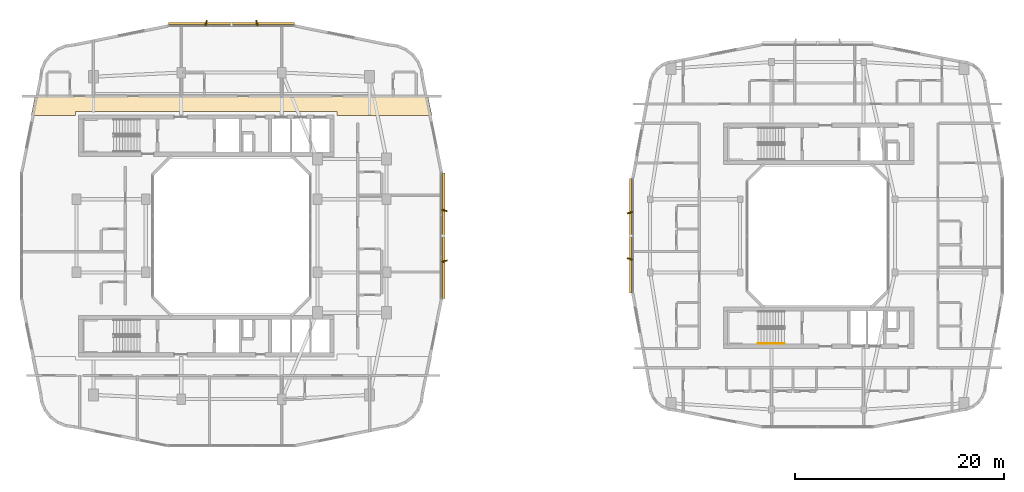
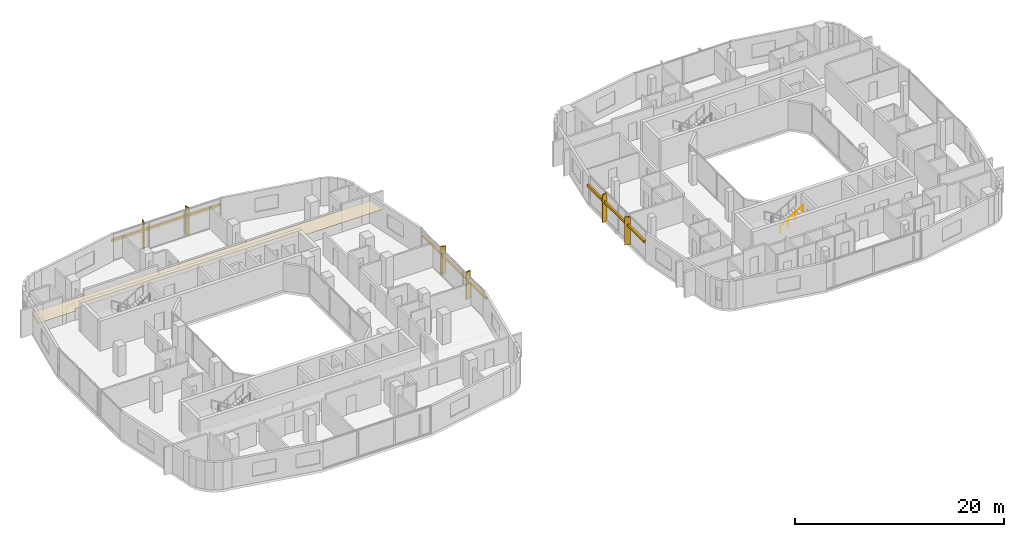
# One storey, part 25 of 26: 9 shading devices, 1 covering, 1 railing.
"""IFC4 building model written with IfcOpenShell, lengths in metres."""

from ifc_helpers import new_model, si_unit, derived_unit, direction, frame, origin, origin_2d, place, context, subcontext, project, spatial, polyline, rectangle, circle, outline, extrude, material, layer, layer_set, type_object, element, save


model = new_model("IFC4")

# Units and contexts
model_context = context("Model", 3, precision=1e-05, world=origin(), true_north=direction((0.0, 1.0)))
body_context = subcontext(model_context, "Body", "Model", "MODEL_VIEW")
ifc_project = project(units=[si_unit("LENGTHUNIT", "METRE"), si_unit("AREAUNIT", "SQUARE_METRE"), si_unit("VOLUMEUNIT", "CUBIC_METRE"), si_unit("PLANEANGLEUNIT", "RADIAN"), si_unit("MASSUNIT", "GRAM", prefix="KILO"), derived_unit("THERMALTRANSMITTANCEUNIT", [(si_unit("POWERUNIT", "WATT"), 1), (si_unit("LENGTHUNIT", "METRE"), -2), (si_unit("THERMODYNAMICTEMPERATUREUNIT", "KELVIN"), -1)])], contexts=[model_context])

# Site, building, storey
site_placement = place(None, origin())
site = spatial("IfcSite", under=ifc_project, at=site_placement, CompositionType="ELEMENT")
building_placement = place(site_placement, origin())
building = spatial("IfcBuilding", under=site, at=building_placement, Name="Kivonza Crest Hotel", CompositionType="ELEMENT")
storey_placement = place(building_placement, frame((0.0, 0.0, 109.0)))
storey = spatial("IfcBuildingStorey", under=building, at=storey_placement, Name="L29", CompositionType="ELEMENT", Elevation=109.0)

# Covering
ifc_material_1 = material(Name="Mineral-fibre acoustic ceiling tile", Category="gypsum")
ifc_layer = layer(ifc_material_1, 0.02490234375)
ifc_layer_set = layer_set([ifc_layer], Name="Mineral-fibre acoustic ceiling tile")
covering_type = type_object("IfcCoveringType", Name="CV-CEIL-ACOU", PredefinedType="CEILING", material=ifc_layer_set)
covering_placement = place(storey_placement, frame((0.0, 0.0, 2.449951171875)))
element("IfcCovering", 1, at=covering_placement, inside=storey, type_object=covering_type, Name="L29 Hotel North Guest Corridor suspended ceiling", PredefinedType="CEILING", context=body_context, shape_type="SweptSolid", body=[
    extrude(outline(polyline([(2.235107421875, 38.389892578125), (1.85791015625, 36.52001953125), (6.10009765625, 36.52001953125), (6.10009765625, 36.860107421875), (31.10009765625, 36.860107421875), (31.10009765625, 36.52001953125), (40.14208984375, 36.52001953125), (39.764892578125, 38.389892578125), (2.235107421875, 38.389892578125)])), origin(), (0.0, 0.0, 1.0), 0.025146484375),
])

# Railing
ifc_material_2 = material(Name="Brushed stainless steel handrail", Category="steel")
railing_type = type_object("IfcRailingType", Name="RL-HAND-900", PredefinedType="HANDRAIL", material=ifc_material_2)
railing_placement = place(storey_placement, frame((71.320068359375, 14.7099609375, 1.925048828125)))
element("IfcRailing", 2, at=railing_placement, inside=storey, type_object=railing_type, Name="L29 ST-T2-S stair handrail 2", PredefinedType="HANDRAIL", context=body_context, shape_type="SweptSolid", body=[
    extrude(circle(Radius=0.02392578125, at=origin_2d()), frame((0.0, 0.0, 0.8759765625), z_axis=(0.848007534815, 0.0, 0.529984170421), x_axis=(0.0, 1.0, 0.0)), (0.0, 0.0, 1.0), 2.9716796875),
    extrude(circle(Radius=0.02099609375, at=origin_2d()), origin(), (0.0, 0.0, 1.0), 0.851806640625),
    extrude(circle(Radius=0.02099609375, at=origin_2d()), frame((0.840087890625, 0.0, 0.52490234375)), (0.0, 0.0, 1.0), 0.851806640625),
    extrude(circle(Radius=0.02099609375, at=origin_2d()), frame((1.679931640625, 0.0, 1.050048828125)), (0.0, 0.0, 1.0), 0.851806640625),
    extrude(circle(Radius=0.02099609375, at=origin_2d()), frame((2.52001953125, 0.0, 1.574951171875)), (0.0, 0.0, 1.0), 0.851806640625),
])

# Shading devices
ifc_material_3 = material(Name="Kiln-fired Nairobi red-ochre terracotta", Category="masonry")
shading_device_type_1 = type_object("IfcShadingDeviceType", Name="SH-BAGUETTE-300", PredefinedType="USERDEFINED", material=ifc_material_3)
for number, where, z_axis, x_axis, name in (
    (3, (41.280029296875, 25.0, 2.1240234375), (0.0, 0.0, 1.0), (0.0, 1.0, 0.0), "L29 terracotta baguette screen CW-T1-L29-17"),
    (4, (21.0, 45.280029296875, 2.1240234375), (0.0, 0.0, 1.0), (-1.0, 0.0, 0.0), "L29 terracotta baguette screen CW-T1-L29-26"),
):
    element("IfcShadingDevice", number, at=place(storey_placement, frame(where, z_axis=z_axis, x_axis=x_axis)), inside=storey, type_object=shading_device_type_1, Name=name, ObjectType="BAGUETTE", PredefinedType="USERDEFINED", context=body_context, shape_type="SweptSolid", body=[
        extrude(rectangle(XDim=12.0, YDim=0.219970703125, at=origin_2d()), origin(), (0.0, 0.0, 1.0), 0.260009765625),
    ])
shading_device_placement = place(storey_placement, frame((59.1201171875, 25.0, 2.14501953125), z_axis=(0.0, 0.0, 1.0), x_axis=(0.0, -1.0, 0.0)))
element("IfcShadingDevice", 5, at=shading_device_placement, inside=storey, type_object=shading_device_type_1, Name="L29 terracotta baguette screen CW-T2-L29-35", ObjectType="BAGUETTE", PredefinedType="USERDEFINED", context=body_context, shape_type="SweptSolid", body=[
    extrude(rectangle(XDim=10.919921875, YDim=0.219970703125, at=origin_2d()), origin(), (0.0, 0.0, 1.0), 0.260009765625),
])
ifc_material_4 = material(Name="Kiln-fired terracotta over extruded aluminium spine", Category="masonry")
shading_device_type_2 = type_object("IfcShadingDeviceType", Name="SH-FIN-550", PredefinedType="USERDEFINED", material=ifc_material_4)
for number, where, z_axis, x_axis, name in (
    (6, (41.340087890625, 22.575927734375, 0.0), (0.0, 0.0, 1.0), (-0.2419218956, 0.970295726276, 0.0), "L29 vertical solar shading fin CW-T1-L29-17-1"),
    (7, (41.340087890625, 27.424072265625, 0.0), (0.0, 0.0, 1.0), (0.2419218956, 0.970295726276, 0.0), "L29 vertical solar shading fin CW-T1-L29-17-2"),
    (8, (23.424072265625, 45.340087890625, 0.0), (0.0, 0.0, 1.0), (-0.970295726276, -0.2419218956, 0.0), "L29 vertical solar shading fin CW-T1-L29-26-1"),
    (9, (18.575927734375, 45.340087890625, 0.0), (0.0, 0.0, 1.0), (-0.970295726276, 0.2419218956, 0.0), "L29 vertical solar shading fin CW-T1-L29-26-2"),
):
    element("IfcShadingDevice", number, at=place(storey_placement, frame(where, z_axis=z_axis, x_axis=x_axis)), inside=storey, type_object=shading_device_type_2, Name=name, ObjectType="FIN", PredefinedType="USERDEFINED", context=body_context, shape_type="SweptSolid", body=[
        extrude(rectangle(XDim=0.1201171875, YDim=0.550048828125, at=origin_2d()), origin(), (0.0, 0.0, 1.0), 3.219970703125),
    ])
for number, where, z_axis, x_axis, name in (
    (10, (59.06005859375, 27.2080078125, 0.0), (0.0, 0.0, 1.0), (0.2419218956, -0.970295726276, 0.0), "L29 vertical solar shading fin CW-T2-L29-35-1"),
    (11, (59.06005859375, 22.7919921875, 0.0), (0.0, 0.0, 1.0), (-0.2419218956, -0.970295726276, 0.0), "L29 vertical solar shading fin CW-T2-L29-35-2"),
):
    element("IfcShadingDevice", number, at=place(storey_placement, frame(where, z_axis=z_axis, x_axis=x_axis)), inside=storey, type_object=shading_device_type_2, Name=name, ObjectType="FIN", PredefinedType="USERDEFINED", context=body_context, shape_type="SweptSolid", body=[
        extrude(rectangle(XDim=0.1201171875, YDim=0.550048828125, at=origin_2d()), origin(), (0.0, 0.0, 1.0), 3.25),
    ])

save(model, "model.ifc")
